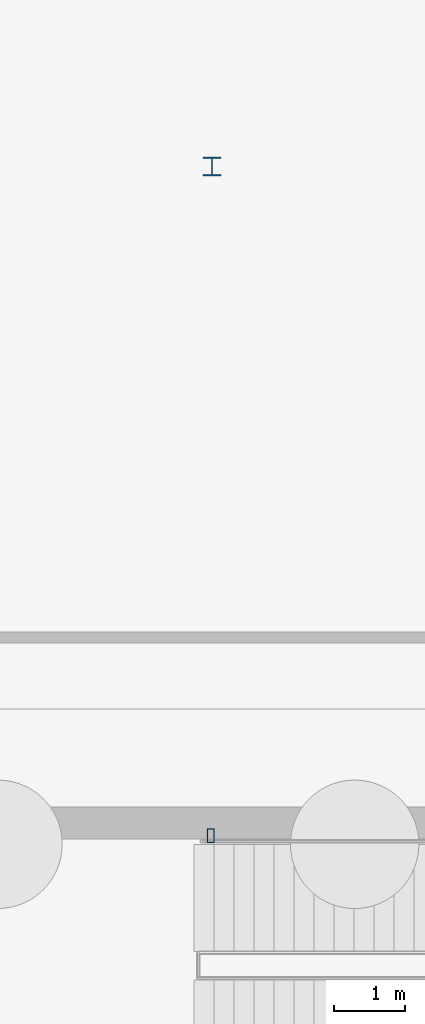
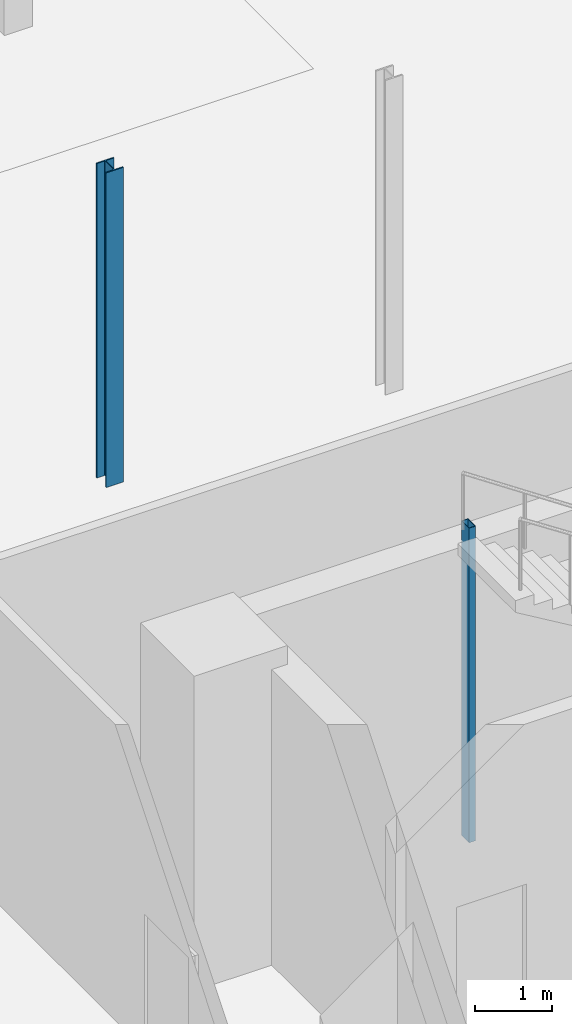
# One storey, part 5 of 16: 2 columns.
"""IFC4 building model written with IfcOpenShell, lengths in metres."""

from ifc_helpers import new_model, si_unit, direction, frame, origin, origin_2d, place, context, subcontext, project, spatial, hollow_rectangle, i_section, extrude, material, material_profile, profile_set, type_object, element, save


model = new_model("IFC4")

# Units and contexts
model_context = context("Model", 3, precision=1e-05, world=origin(), true_north=direction((0.0, 1.0)))
body_context = subcontext(model_context, "Body", "Model", "MODEL_VIEW")
ifc_project = project(units=[si_unit("LENGTHUNIT", "METRE"), si_unit("AREAUNIT", "SQUARE_METRE"), si_unit("VOLUMEUNIT", "CUBIC_METRE"), si_unit("PLANEANGLEUNIT", "RADIAN"), si_unit("MASSUNIT", "GRAM", prefix="KILO")], contexts=[model_context])

# Site, building, storey
site_placement = place(None, origin())
site = spatial("IfcSite", under=ifc_project, at=site_placement, CompositionType="ELEMENT")
building_placement = place(site_placement, origin())
building = spatial("IfcBuilding", under=site, at=building_placement, Name="Menara Jurai Vektor", CompositionType="ELEMENT")
storey_placement = place(building_placement, frame((0.0, 0.0, -5.0)))
storey = spatial("IfcBuildingStorey", under=building, at=storey_placement, Name="B1", CompositionType="ELEMENT", Elevation=-5.0)

# Columns
ifc_material = material(Name="Steel S355", Category="steel")
ifc_material_profile_1 = material_profile(ifc_material, i_section(OverallWidth=0.259033203125, OverallDepth=0.26708984375, WebThickness=0.012939453125, FlangeThickness=0.02099609375, FilletRadius=0.012939453125, at=origin_2d()), Name="UKC 254x254x107")
ifc_profile_set_1 = profile_set([ifc_material_profile_1], Name="Steel S355")
column_type_1 = type_object("IfcColumnType", Name="STR-COL-CANOPY", PredefinedType="COLUMN", material=ifc_profile_set_1)
column_1_placement = place(storey_placement, frame((-11.10009765625, 14.800048828125, 0.0), z_axis=(0.0, 0.0, 1.0), x_axis=(1.0, 0.0, 0.0)))
element("IfcColumn", 1, at=column_1_placement, inside=storey, type_object=column_type_1, Name="Canopy Support Sub-Column E4-1 B1", PredefinedType="COLUMN", context=body_context, shape_type="SweptSolid", body=[
    extrude(i_section(OverallWidth=0.259033203125, OverallDepth=0.26708984375, WebThickness=0.012939453125, FlangeThickness=0.02099609375, FilletRadius=0.012939453125, at=origin_2d()), origin(), (0.0, 0.0, 1.0), 5.0),
])
ifc_material_profile_2 = material_profile(ifc_material, hollow_rectangle(XDim=0.10009765625, YDim=0.199951171875, WallThickness=0.008056640625, at=origin_2d()), Name="RHS 200x100x8")
ifc_profile_set_2 = profile_set([ifc_material_profile_2], Name="Steel S355")
column_type_2 = type_object("IfcColumnType", Name="STR-COL-STAIR", PredefinedType="COLUMN", material=ifc_profile_set_2)
column_2_placement = place(storey_placement, frame((-11.1201171875, 5.419921875, 0.0), z_axis=(0.0, 0.0, 1.0), x_axis=(1.0, 0.0, 0.0)))
element("IfcColumn", 2, at=column_2_placement, inside=storey, type_object=column_type_2, Name="Stair Well Header Column ST1-P2 B1", PredefinedType="COLUMN", context=body_context, shape_type="SweptSolid", body=[
    extrude(hollow_rectangle(XDim=0.10009765625, YDim=0.199951171875, WallThickness=0.008056640625, at=origin_2d()), origin(), (0.0, 0.0, 1.0), 5.0),
])

save(model, "model.ifc")
